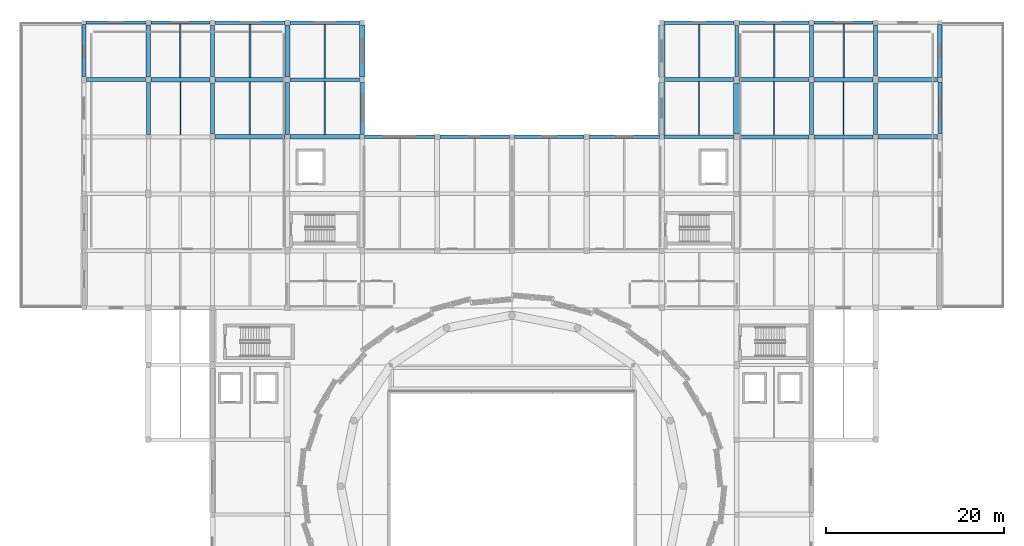
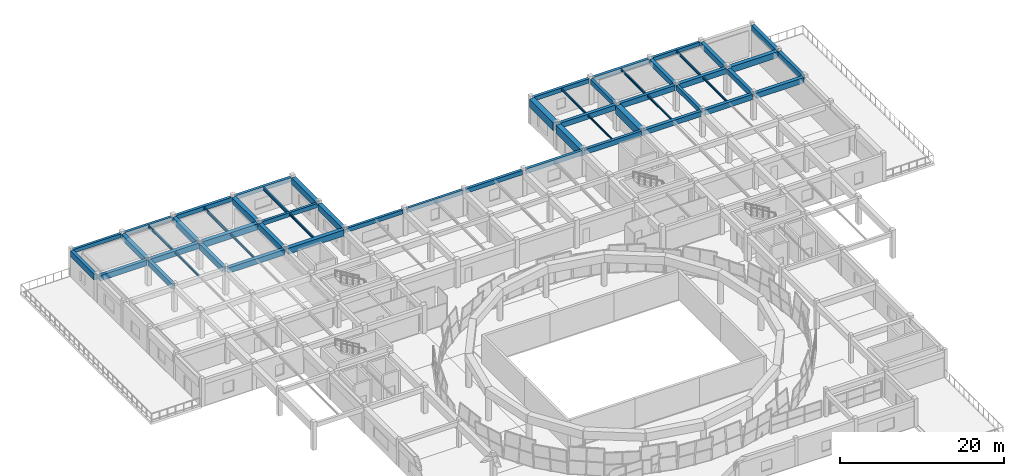
# One storey, part 22 of 40: 56 beams.
"""IFC4 building model written with IfcOpenShell, lengths in metres."""

from ifc_helpers import new_model, si_unit, direction, frame, origin, origin_2d, place, context, subcontext, project, spatial, rectangle, i_section, extrude, material, material_profile, profile_set, type_object, element, save


model = new_model("IFC4")

# Units and contexts
model_context = context("Model", 3, precision=1e-05, world=origin(), true_north=direction((0.0, 1.0)))
body_context = subcontext(model_context, "Body", "Model", "MODEL_VIEW")
ifc_project = project(units=[si_unit("LENGTHUNIT", "METRE"), si_unit("AREAUNIT", "SQUARE_METRE"), si_unit("VOLUMEUNIT", "CUBIC_METRE"), si_unit("PLANEANGLEUNIT", "RADIAN"), si_unit("MASSUNIT", "GRAM", prefix="KILO")], contexts=[model_context])

# Site, building, storey
site_placement = place(None, origin())
site = spatial("IfcSite", under=ifc_project, at=site_placement, CompositionType="ELEMENT")
building_placement = place(site_placement, origin())
building = spatial("IfcBuilding", under=site, at=building_placement, Name="Korsvaeld Concert Hall", CompositionType="ELEMENT")
storey_placement = place(building_placement, frame((0.0, 0.0, 13.199951171875)))
storey = spatial("IfcBuildingStorey", under=building, at=storey_placement, Name="L03", CompositionType="ELEMENT", Elevation=13.199951171875)

# Beams
ifc_material_1 = material(Name="Concrete C35/45", Category="concrete")
ifc_material_profile_1 = material_profile(ifc_material_1, rectangle(XDim=0.35009765625, YDim=0.60009765625, at=origin_2d()), Name="RC 350x600")
ifc_profile_set_1 = profile_set([ifc_material_profile_1], Name="Concrete C35/45")
beam_type_1 = type_object("IfcBeamType", Name="BM-RC-350x600", PredefinedType="T_BEAM", material=ifc_profile_set_1)
beam_1_placement = place(storey_placement, frame((67.47509765625, 102.39990234375, 3.5400390625), z_axis=(1.0, 0.0, 0.0), x_axis=(0.0, 1.0, 0.0)))
element("IfcBeam", 1, at=beam_1_placement, inside=storey, type_object=beam_type_1, Name="Primary girder 10-11/Q L03", PredefinedType="T_BEAM", context=body_context, shape_type="SweptSolid", body=[
    extrude(rectangle(XDim=0.35009765625, YDim=0.60009765625, at=origin_2d()), origin(), (0.0, 0.0, 1.0), 7.824951171875),
])
beam_2_placement = place(storey_placement, frame((59.10009765625, 108.800048828125, 3.5400390625), z_axis=(1.0, 0.0, 0.0), x_axis=(0.0, 1.0, 0.0)))
element("IfcBeam", 2, at=beam_2_placement, inside=storey, type_object=beam_type_1, Name="Primary girder 9-10/R L03", PredefinedType="T_BEAM", context=body_context, shape_type="SweptSolid", body=[
    extrude(rectangle(XDim=0.35009765625, YDim=0.60009765625, at=origin_2d()), origin(), (0.0, 0.0, 1.0), 7.7998046875),
])
ifc_material_profile_2 = material_profile(ifc_material_1, rectangle(XDim=0.35009765625, YDim=0.64990234375, at=origin_2d()), Name="RC 350x650")
ifc_profile_set_2 = profile_set([ifc_material_profile_2], Name="Concrete C35/45")
beam_type_2 = type_object("IfcBeamType", Name="BM-RC-350x650", PredefinedType="T_BEAM", material=ifc_profile_set_2)
beam_3_placement = place(storey_placement, frame((75.89990234375, 102.39990234375, 3.51513671875), z_axis=(1.0, 0.0, 0.0), x_axis=(0.0, 1.0, 0.0)))
element("IfcBeam", 3, at=beam_3_placement, inside=storey, type_object=beam_type_2, Name="Primary girder 11-12/Q L03", PredefinedType="T_BEAM", context=body_context, shape_type="SweptSolid", body=[
    extrude(rectangle(XDim=0.35009765625, YDim=0.64990234375, at=origin_2d()), origin(), (0.0, 0.0, 1.0), 7.8251953125),
])
ifc_material_profile_3 = material_profile(ifc_material_1, rectangle(XDim=0.39990234375, YDim=0.64990234375, at=origin_2d()), Name="RC 400x650")
ifc_profile_set_3 = profile_set([ifc_material_profile_3], Name="Concrete C35/45")
beam_type_3 = type_object("IfcBeamType", Name="BM-RC-400x650", PredefinedType="T_BEAM", material=ifc_profile_set_3)
beam_4_placement = place(storey_placement, frame((84.27490234375, 102.39990234375, 3.51513671875), z_axis=(1.0, 0.0, 0.0), x_axis=(0.0, 1.0, 0.0)))
element("IfcBeam", 4, at=beam_4_placement, inside=storey, type_object=beam_type_3, Name="Primary girder 12-13/Q L03", PredefinedType="T_BEAM", context=body_context, shape_type="SweptSolid", body=[
    extrude(rectangle(XDim=0.39990234375, YDim=0.64990234375, at=origin_2d()), origin(), (0.0, 0.0, 1.0), 7.8251953125),
])
ifc_material_profile_4 = material_profile(ifc_material_1, rectangle(XDim=0.39990234375, YDim=0.699951171875, at=origin_2d()), Name="RC 400x700")
ifc_profile_set_4 = profile_set([ifc_material_profile_4], Name="Concrete C35/45")
beam_type_4 = type_object("IfcBeamType", Name="BM-RC-400x700", PredefinedType="T_BEAM", material=ifc_profile_set_4)
beam_5_placement = place(storey_placement, frame((92.699951171875, 102.39990234375, 3.489990234375), z_axis=(1.0, 0.0, 0.0), x_axis=(0.0, 1.0, 0.0)))
element("IfcBeam", 5, at=beam_5_placement, inside=storey, type_object=beam_type_4, Name="Primary girder 13-14/Q L03", PredefinedType="T_BEAM", context=body_context, shape_type="SweptSolid", body=[
    extrude(rectangle(XDim=0.39990234375, YDim=0.699951171875, at=origin_2d()), origin(), (0.0, 0.0, 1.0), 7.824951171875),
])
beam_6_placement = place(storey_placement, frame((109.199951171875, 109.175048828125, 3.489990234375), z_axis=(0.0, 1.0, 0.0), x_axis=(-1.0, 0.0, 0.0)))
element("IfcBeam", 6, at=beam_6_placement, inside=storey, type_object=beam_type_4, Name="Primary girder 15/R-S L03", PredefinedType="T_BEAM", context=body_context, shape_type="SweptSolid", body=[
    extrude(rectangle(XDim=0.39990234375, YDim=0.699951171875, at=origin_2d()), origin(), (0.0, 0.0, 1.0), 5.724853515625),
])
beam_7_placement = place(storey_placement, frame((117.60009765625, 102.675048828125, 3.489990234375), z_axis=(0.0, 1.0, 0.0), x_axis=(-1.0, 0.0, 0.0)))
element("IfcBeam", 7, at=beam_7_placement, inside=storey, type_object=beam_type_4, Name="Primary girder 16/Q-R L03", PredefinedType="T_BEAM", context=body_context, shape_type="SweptSolid", body=[
    extrude(rectangle(XDim=0.39990234375, YDim=0.699951171875, at=origin_2d()), origin(), (0.0, 0.0, 1.0), 5.824951171875),
])
ifc_material_profile_5 = material_profile(ifc_material_1, rectangle(XDim=0.39990234375, YDim=0.75, at=origin_2d()), Name="RC 400x750")
ifc_profile_set_5 = profile_set([ifc_material_profile_5], Name="Concrete C35/45")
beam_type_5 = type_object("IfcBeamType", Name="BM-RC-400x750", PredefinedType="T_BEAM", material=ifc_profile_set_5)
beam_8_placement = place(storey_placement, frame((101.074951171875, 102.39990234375, 3.465087890625), z_axis=(1.0, 0.0, 0.0), x_axis=(0.0, 1.0, 0.0)))
element("IfcBeam", 8, at=beam_8_placement, inside=storey, type_object=beam_type_5, Name="Primary girder 14-15/Q L03", PredefinedType="T_BEAM", context=body_context, shape_type="SweptSolid", body=[
    extrude(rectangle(XDim=0.39990234375, YDim=0.75, at=origin_2d()), origin(), (0.0, 0.0, 1.0), 7.824951171875),
])
ifc_material_profile_6 = material_profile(ifc_material_1, rectangle(XDim=0.449951171875, YDim=0.75, at=origin_2d()), Name="RC 450x750")
ifc_profile_set_6 = profile_set([ifc_material_profile_6], Name="Concrete C35/45")
beam_type_6 = type_object("IfcBeamType", Name="BM-RC-450x750", PredefinedType="T_BEAM", material=ifc_profile_set_6)
for number, where, z_axis, x_axis, name in (
    (9, (109.5, 102.39990234375, 3.465087890625), (1.0, 0.0, 0.0), (0.0, 1.0, 0.0), "Primary girder 15-16/Q L03"),
    (10, (101.10009765625, 108.800048828125, 3.465087890625), (1.0, 0.0, 0.0), (0.0, 1.0, 0.0), "Primary girder 14-15/R L03"),
):
    element("IfcBeam", number, at=place(storey_placement, frame(where, z_axis=z_axis, x_axis=x_axis)), inside=storey, type_object=beam_type_6, Name=name, PredefinedType="T_BEAM", context=body_context, shape_type="SweptSolid", body=[
        extrude(rectangle(XDim=0.449951171875, YDim=0.75, at=origin_2d()), origin(), (0.0, 0.0, 1.0), 7.824951171875),
    ])
ifc_material_profile_7 = material_profile(ifc_material_1, rectangle(XDim=0.449951171875, YDim=0.800048828125, at=origin_2d()), Name="RC 450x800")
ifc_profile_set_7 = profile_set([ifc_material_profile_7], Name="Concrete C35/45")
beam_type_7 = type_object("IfcBeamType", Name="BM-RC-450x800", PredefinedType="T_BEAM", material=ifc_profile_set_7)
beam_9_placement = place(storey_placement, frame((117.875, 102.39990234375, 3.43994140625), z_axis=(1.0, 0.0, 0.0), x_axis=(0.0, 1.0, 0.0)))
element("IfcBeam", 11, at=beam_9_placement, inside=storey, type_object=beam_type_7, Name="Primary girder 16-17/Q L03", PredefinedType="T_BEAM", context=body_context, shape_type="SweptSolid", body=[
    extrude(rectangle(XDim=0.449951171875, YDim=0.800048828125, at=origin_2d()), origin(), (0.0, 0.0, 1.0), 6.64990234375),
])
beam_10_placement = place(storey_placement, frame((36.27490234375, 108.800048828125, 3.43994140625), z_axis=(1.0, 0.0, 0.0), x_axis=(0.0, 1.0, 0.0)))
element("IfcBeam", 12, at=beam_10_placement, inside=storey, type_object=beam_type_7, Name="Primary girder 6-7/R L03", PredefinedType="T_BEAM", context=body_context, shape_type="SweptSolid", body=[
    extrude(rectangle(XDim=0.449951171875, YDim=0.800048828125, at=origin_2d()), origin(), (0.0, 0.0, 1.0), 6.625),
])
beam_11_placement = place(storey_placement, frame((109.47509765625, 108.800048828125, 3.43994140625), z_axis=(1.0, 0.0, 0.0), x_axis=(0.0, 1.0, 0.0)))
element("IfcBeam", 13, at=beam_11_placement, inside=storey, type_object=beam_type_7, Name="Primary girder 15-16/R L03", PredefinedType="T_BEAM", context=body_context, shape_type="SweptSolid", body=[
    extrude(rectangle(XDim=0.449951171875, YDim=0.800048828125, at=origin_2d()), origin(), (0.0, 0.0, 1.0), 7.824951171875),
])
beam_12_placement = place(storey_placement, frame((117.60009765625, 109.10009765625, 3.43994140625), z_axis=(0.0, 1.0, 0.0), x_axis=(-1.0, 0.0, 0.0)))
element("IfcBeam", 14, at=beam_12_placement, inside=storey, type_object=beam_type_7, Name="Primary girder 16/R-S L03", PredefinedType="T_BEAM", context=body_context, shape_type="SweptSolid", body=[
    extrude(rectangle(XDim=0.449951171875, YDim=0.800048828125, at=origin_2d()), origin(), (0.0, 0.0, 1.0), 5.824951171875),
])
beam_13_placement = place(storey_placement, frame((124.800048828125, 102.675048828125, 3.43994140625), z_axis=(0.0, 1.0, 0.0), x_axis=(-1.0, 0.0, 0.0)))
element("IfcBeam", 15, at=beam_13_placement, inside=storey, type_object=beam_type_7, Name="Primary girder 17/Q-R L03", PredefinedType="T_BEAM", context=body_context, shape_type="SweptSolid", body=[
    extrude(rectangle(XDim=0.449951171875, YDim=0.800048828125, at=origin_2d()), origin(), (0.0, 0.0, 1.0), 5.724853515625),
])
ifc_material_2 = material(Name="Concrete C40/50", Category="concrete")
ifc_material_profile_8 = material_profile(ifc_material_2, rectangle(XDim=0.449951171875, YDim=0.85009765625, at=origin_2d()), Name="RC 450x850")
ifc_profile_set_8 = profile_set([ifc_material_profile_8], Name="Concrete C40/50")
beam_type_8 = type_object("IfcBeamType", Name="BM-RC-450x850", PredefinedType="T_BEAM", material=ifc_profile_set_8)
beam_14_placement = place(storey_placement, frame((36.0, 109.175048828125, 3.4150390625), z_axis=(0.0, 1.0, 0.0), x_axis=(-1.0, 0.0, 0.0)))
element("IfcBeam", 16, at=beam_14_placement, inside=storey, type_object=beam_type_8, Name="Primary girder 6/R-S L03", PredefinedType="T_BEAM", context=body_context, shape_type="SweptSolid", body=[
    extrude(rectangle(XDim=0.449951171875, YDim=0.85009765625, at=origin_2d()), origin(), (0.0, 0.0, 1.0), 5.800048828125),
])
beam_15_placement = place(storey_placement, frame((43.199951171875, 102.675048828125, 3.4150390625), z_axis=(0.0, 1.0, 0.0), x_axis=(-1.0, 0.0, 0.0)))
element("IfcBeam", 17, at=beam_15_placement, inside=storey, type_object=beam_type_8, Name="Primary girder 7/Q-R L03", PredefinedType="T_BEAM", context=body_context, shape_type="SweptSolid", body=[
    extrude(rectangle(XDim=0.449951171875, YDim=0.85009765625, at=origin_2d()), origin(), (0.0, 0.0, 1.0), 5.824951171875),
])
beam_16_placement = place(storey_placement, frame((124.800048828125, 109.199951171875, 3.4150390625), z_axis=(0.0, 1.0, 0.0), x_axis=(-1.0, 0.0, 0.0)))
element("IfcBeam", 18, at=beam_16_placement, inside=storey, type_object=beam_type_8, Name="Primary girder 17/R-S L03", PredefinedType="T_BEAM", context=body_context, shape_type="SweptSolid", body=[
    extrude(rectangle(XDim=0.449951171875, YDim=0.85009765625, at=origin_2d()), origin(), (0.0, 0.0, 1.0), 5.72509765625),
])
beam_17_placement = place(storey_placement, frame((132.0, 102.75, 3.4150390625), z_axis=(0.0, 1.0, 0.0), x_axis=(-1.0, 0.0, 0.0)))
element("IfcBeam", 19, at=beam_17_placement, inside=storey, type_object=beam_type_8, Name="Primary girder 18/Q-R L03", PredefinedType="T_BEAM", context=body_context, shape_type="SweptSolid", body=[
    extrude(rectangle(XDim=0.449951171875, YDim=0.85009765625, at=origin_2d()), origin(), (0.0, 0.0, 1.0), 5.800048828125),
])
ifc_material_profile_9 = material_profile(ifc_material_2, rectangle(XDim=0.5, YDim=0.800048828125, at=origin_2d()), Name="RC 500x800")
ifc_profile_set_9 = profile_set([ifc_material_profile_9], Name="Concrete C40/50")
beam_type_9 = type_object("IfcBeamType", Name="BM-RC-500x800", PredefinedType="T_BEAM", material=ifc_profile_set_9)
beam_18_placement = place(storey_placement, frame((50.699951171875, 102.39990234375, 3.43994140625), z_axis=(1.0, 0.0, 0.0), x_axis=(0.0, 1.0, 0.0)))
element("IfcBeam", 20, at=beam_18_placement, inside=storey, type_object=beam_type_9, Name="Primary girder 8-9/Q L03", PredefinedType="T_BEAM", context=body_context, shape_type="SweptSolid", body=[
    extrude(rectangle(XDim=0.5, YDim=0.800048828125, at=origin_2d()), origin(), (0.0, 0.0, 1.0), 7.824951171875),
])
beam_19_placement = place(storey_placement, frame((125.074951171875, 102.39990234375, 3.43994140625), z_axis=(1.0, 0.0, 0.0), x_axis=(0.0, 1.0, 0.0)))
element("IfcBeam", 21, at=beam_19_placement, inside=storey, type_object=beam_type_9, Name="Primary girder 17-18/Q L03", PredefinedType="T_BEAM", context=body_context, shape_type="SweptSolid", body=[
    extrude(rectangle(XDim=0.5, YDim=0.800048828125, at=origin_2d()), origin(), (0.0, 0.0, 1.0), 6.675048828125),
])
beam_20_placement = place(storey_placement, frame((43.5, 108.800048828125, 3.43994140625), z_axis=(1.0, 0.0, 0.0), x_axis=(0.0, 1.0, 0.0)))
element("IfcBeam", 22, at=beam_20_placement, inside=storey, type_object=beam_type_9, Name="Primary girder 7-8/R L03", PredefinedType="T_BEAM", context=body_context, shape_type="SweptSolid", body=[
    extrude(rectangle(XDim=0.5, YDim=0.800048828125, at=origin_2d()), origin(), (0.0, 0.0, 1.0), 6.625),
])
beam_21_placement = place(storey_placement, frame((117.89990234375, 108.800048828125, 3.43994140625), z_axis=(1.0, 0.0, 0.0), x_axis=(0.0, 1.0, 0.0)))
element("IfcBeam", 23, at=beam_21_placement, inside=storey, type_object=beam_type_9, Name="Primary girder 16-17/R L03", PredefinedType="T_BEAM", context=body_context, shape_type="SweptSolid", body=[
    extrude(rectangle(XDim=0.5, YDim=0.800048828125, at=origin_2d()), origin(), (0.0, 0.0, 1.0), 6.60009765625),
])
ifc_material_profile_10 = material_profile(ifc_material_2, rectangle(XDim=0.5, YDim=0.85009765625, at=origin_2d()), Name="RC 500x850")
ifc_profile_set_10 = profile_set([ifc_material_profile_10], Name="Concrete C40/50")
beam_type_10 = type_object("IfcBeamType", Name="BM-RC-500x850", PredefinedType="T_BEAM", material=ifc_profile_set_10)
beam_22_placement = place(storey_placement, frame((43.199951171875, 109.10009765625, 3.4150390625), z_axis=(0.0, 1.0, 0.0), x_axis=(-1.0, 0.0, 0.0)))
element("IfcBeam", 24, at=beam_22_placement, inside=storey, type_object=beam_type_10, Name="Primary girder 7/R-S L03", PredefinedType="T_BEAM", context=body_context, shape_type="SweptSolid", body=[
    extrude(rectangle(XDim=0.5, YDim=0.85009765625, at=origin_2d()), origin(), (0.0, 0.0, 1.0), 5.824951171875),
])
beam_23_placement = place(storey_placement, frame((50.39990234375, 102.699951171875, 3.4150390625), z_axis=(0.0, 1.0, 0.0), x_axis=(-1.0, 0.0, 0.0)))
element("IfcBeam", 25, at=beam_23_placement, inside=storey, type_object=beam_type_10, Name="Primary girder 8/Q-R L03", PredefinedType="T_BEAM", context=body_context, shape_type="SweptSolid", body=[
    extrude(rectangle(XDim=0.5, YDim=0.85009765625, at=origin_2d()), origin(), (0.0, 0.0, 1.0), 5.72509765625),
])
beam_24_placement = place(storey_placement, frame((132.0, 109.050048828125, 3.4150390625), z_axis=(0.0, 1.0, 0.0), x_axis=(-1.0, 0.0, 0.0)))
element("IfcBeam", 26, at=beam_24_placement, inside=storey, type_object=beam_type_10, Name="Primary girder 18/R-S L03", PredefinedType="T_BEAM", context=body_context, shape_type="SweptSolid", body=[
    extrude(rectangle(XDim=0.5, YDim=0.85009765625, at=origin_2d()), origin(), (0.0, 0.0, 1.0), 5.925048828125),
])
ifc_material_profile_11 = material_profile(ifc_material_2, rectangle(XDim=0.5, YDim=0.89990234375, at=origin_2d()), Name="RC 500x900")
ifc_profile_set_11 = profile_set([ifc_material_profile_11], Name="Concrete C40/50")
beam_type_11 = type_object("IfcBeamType", Name="BM-RC-500x900", PredefinedType="T_BEAM", material=ifc_profile_set_11)
beam_25_placement = place(storey_placement, frame((50.39990234375, 109.175048828125, 3.39013671875), z_axis=(0.0, 1.0, 0.0), x_axis=(-1.0, 0.0, 0.0)))
element("IfcBeam", 27, at=beam_25_placement, inside=storey, type_object=beam_type_11, Name="Primary girder 8/R-S L03", PredefinedType="T_BEAM", context=body_context, shape_type="SweptSolid", body=[
    extrude(rectangle(XDim=0.5, YDim=0.89990234375, at=origin_2d()), origin(), (0.0, 0.0, 1.0), 5.724853515625),
])
beam_26_placement = place(storey_placement, frame((58.800048828125, 102.675048828125, 3.39013671875), z_axis=(0.0, 1.0, 0.0), x_axis=(-1.0, 0.0, 0.0)))
element("IfcBeam", 28, at=beam_26_placement, inside=storey, type_object=beam_type_11, Name="Primary girder 9/Q-R L03", PredefinedType="T_BEAM", context=body_context, shape_type="SweptSolid", body=[
    extrude(rectangle(XDim=0.5, YDim=0.89990234375, at=origin_2d()), origin(), (0.0, 0.0, 1.0), 5.824951171875),
])
ifc_material_profile_12 = material_profile(ifc_material_2, rectangle(XDim=0.550048828125, YDim=0.89990234375, at=origin_2d()), Name="RC 550x900")
ifc_profile_set_12 = profile_set([ifc_material_profile_12], Name="Concrete C40/50")
beam_type_12 = type_object("IfcBeamType", Name="BM-RC-550x900", PredefinedType="T_BEAM", material=ifc_profile_set_12)
beam_27_placement = place(storey_placement, frame((59.074951171875, 102.39990234375, 3.39013671875), z_axis=(1.0, 0.0, 0.0), x_axis=(0.0, 1.0, 0.0)))
element("IfcBeam", 29, at=beam_27_placement, inside=storey, type_object=beam_type_12, Name="Primary girder 9-10/Q L03", PredefinedType="T_BEAM", context=body_context, shape_type="SweptSolid", body=[
    extrude(rectangle(XDim=0.550048828125, YDim=0.89990234375, at=origin_2d()), origin(), (0.0, 0.0, 1.0), 7.85009765625),
])
beam_28_placement = place(storey_placement, frame((50.675048828125, 108.800048828125, 3.39013671875), z_axis=(1.0, 0.0, 0.0), x_axis=(0.0, 1.0, 0.0)))
element("IfcBeam", 30, at=beam_28_placement, inside=storey, type_object=beam_type_12, Name="Primary girder 8-9/R L03", PredefinedType="T_BEAM", context=body_context, shape_type="SweptSolid", body=[
    extrude(rectangle(XDim=0.550048828125, YDim=0.89990234375, at=origin_2d()), origin(), (0.0, 0.0, 1.0), 7.824951171875),
])
beam_29_placement = place(storey_placement, frame((125.10009765625, 108.800048828125, 3.39013671875), z_axis=(1.0, 0.0, 0.0), x_axis=(0.0, 1.0, 0.0)))
element("IfcBeam", 31, at=beam_29_placement, inside=storey, type_object=beam_type_12, Name="Primary girder 17-18/R L03", PredefinedType="T_BEAM", context=body_context, shape_type="SweptSolid", body=[
    extrude(rectangle(XDim=0.550048828125, YDim=0.89990234375, at=origin_2d()), origin(), (0.0, 0.0, 1.0), 6.64990234375),
])
ifc_material_profile_13 = material_profile(ifc_material_2, rectangle(XDim=0.550048828125, YDim=0.949951171875, at=origin_2d()), Name="RC 550x950")
ifc_profile_set_13 = profile_set([ifc_material_profile_13], Name="Concrete C40/50")
beam_type_13 = type_object("IfcBeamType", Name="BM-RC-550x950", PredefinedType="T_BEAM", material=ifc_profile_set_13)
for number, where, z_axis, x_axis, name in (
    (32, (58.800048828125, 109.10009765625, 3.364990234375), (0.0, 1.0, 0.0), (-1.0, 0.0, 0.0), "Primary girder 9/R-S L03"),
    (33, (67.199951171875, 102.675048828125, 3.364990234375), (0.0, 1.0, 0.0), (-1.0, 0.0, 0.0), "Primary girder 10/Q-R L03"),
):
    element("IfcBeam", number, at=place(storey_placement, frame(where, z_axis=z_axis, x_axis=x_axis)), inside=storey, type_object=beam_type_13, Name=name, PredefinedType="T_BEAM", context=body_context, shape_type="SweptSolid", body=[
        extrude(rectangle(XDim=0.550048828125, YDim=0.949951171875, at=origin_2d()), origin(), (0.0, 0.0, 1.0), 5.824951171875),
    ])
ifc_material_profile_14 = material_profile(ifc_material_2, rectangle(XDim=0.60009765625, YDim=0.949951171875, at=origin_2d()), Name="RC 600x950")
ifc_profile_set_14 = profile_set([ifc_material_profile_14], Name="Concrete C40/50")
beam_type_14 = type_object("IfcBeamType", Name="BM-RC-600x950", PredefinedType="T_BEAM", material=ifc_profile_set_14)
beam_30_placement = place(storey_placement, frame((67.199951171875, 109.10009765625, 3.364990234375), z_axis=(0.0, 1.0, 0.0), x_axis=(-1.0, 0.0, 0.0)))
element("IfcBeam", 34, at=beam_30_placement, inside=storey, type_object=beam_type_14, Name="Primary girder 10/R-S L03", PredefinedType="T_BEAM", context=body_context, shape_type="SweptSolid", body=[
    extrude(rectangle(XDim=0.60009765625, YDim=0.949951171875, at=origin_2d()), origin(), (0.0, 0.0, 1.0), 5.824951171875),
])
ifc_material_profile_15 = material_profile(ifc_material_2, rectangle(XDim=0.699951171875, YDim=1.14990234375, at=origin_2d()), Name="RC 700x1150")
ifc_profile_set_15 = profile_set([ifc_material_profile_15], Name="Concrete C40/50")
beam_type_15 = type_object("IfcBeamType", Name="BM-RC-700x1150", PredefinedType="T_BEAM", material=ifc_profile_set_15)
beam_31_placement = place(storey_placement, frame((100.800048828125, 102.675048828125, 3.26513671875), z_axis=(0.0, 1.0, 0.0), x_axis=(-1.0, 0.0, 0.0)))
element("IfcBeam", 35, at=beam_31_placement, inside=storey, type_object=beam_type_15, Name="Primary girder 14/Q-R L03", PredefinedType="T_BEAM", context=body_context, shape_type="SweptSolid", body=[
    extrude(rectangle(XDim=0.699951171875, YDim=1.14990234375, at=origin_2d()), origin(), (0.0, 0.0, 1.0), 5.824951171875),
])
ifc_material_profile_16 = material_profile(ifc_material_2, rectangle(XDim=0.75, YDim=1.199951171875, at=origin_2d()), Name="RC 750x1200")
ifc_profile_set_16 = profile_set([ifc_material_profile_16], Name="Concrete C40/50")
beam_type_16 = type_object("IfcBeamType", Name="BM-RC-750x1200", PredefinedType="T_BEAM", material=ifc_profile_set_16)
beam_32_placement = place(storey_placement, frame((100.800048828125, 109.10009765625, 3.239990234375), z_axis=(0.0, 1.0, 0.0), x_axis=(-1.0, 0.0, 0.0)))
element("IfcBeam", 36, at=beam_32_placement, inside=storey, type_object=beam_type_16, Name="Primary girder 14/R-S L03", PredefinedType="T_BEAM", context=body_context, shape_type="SweptSolid", body=[
    extrude(rectangle(XDim=0.75, YDim=1.199951171875, at=origin_2d()), origin(), (0.0, 0.0, 1.0), 5.824951171875),
])
beam_33_placement = place(storey_placement, frame((109.199951171875, 102.699951171875, 3.239990234375), z_axis=(0.0, 1.0, 0.0), x_axis=(-1.0, 0.0, 0.0)))
element("IfcBeam", 37, at=beam_33_placement, inside=storey, type_object=beam_type_16, Name="Primary girder 15/Q-R L03", PredefinedType="T_BEAM", context=body_context, shape_type="SweptSolid", body=[
    extrude(rectangle(XDim=0.75, YDim=1.199951171875, at=origin_2d()), origin(), (0.0, 0.0, 1.0), 5.72509765625),
])
ifc_material_profile_17 = material_profile(ifc_material_1, rectangle(XDim=0.35009765625, YDim=0.550048828125, at=origin_2d()), Name="RC 350x550")
ifc_profile_set_17 = profile_set([ifc_material_profile_17], Name="Concrete C35/45")
beam_type_17 = type_object("IfcBeamType", Name="BM-SP-350x550", PredefinedType="SPANDREL", material=ifc_profile_set_17)
beam_34_placement = place(storey_placement, frame((36.22509765625, 115.199951171875, 3.56494140625), z_axis=(1.0, 0.0, 0.0), x_axis=(0.0, 1.0, 0.0)))
element("IfcBeam", 38, at=beam_34_placement, inside=storey, type_object=beam_type_17, Name="Primary girder 6-7/S L03", PredefinedType="SPANDREL", context=body_context, shape_type="SweptSolid", body=[
    extrude(rectangle(XDim=0.35009765625, YDim=0.550048828125, at=origin_2d()), origin(), (0.0, 0.0, 1.0), 6.699951171875),
])
beam_35_placement = place(storey_placement, frame((43.47509765625, 115.199951171875, 3.56494140625), z_axis=(1.0, 0.0, 0.0), x_axis=(0.0, 1.0, 0.0)))
element("IfcBeam", 39, at=beam_35_placement, inside=storey, type_object=beam_type_17, Name="Primary girder 7-8/S L03", PredefinedType="SPANDREL", context=body_context, shape_type="SweptSolid", body=[
    extrude(rectangle(XDim=0.35009765625, YDim=0.550048828125, at=origin_2d()), origin(), (0.0, 0.0, 1.0), 6.625),
])
beam_36_placement = place(storey_placement, frame((117.875, 115.199951171875, 3.56494140625), z_axis=(1.0, 0.0, 0.0), x_axis=(0.0, 1.0, 0.0)))
element("IfcBeam", 40, at=beam_36_placement, inside=storey, type_object=beam_type_17, Name="Primary girder 16-17/S L03", PredefinedType="SPANDREL", context=body_context, shape_type="SweptSolid", body=[
    extrude(rectangle(XDim=0.35009765625, YDim=0.550048828125, at=origin_2d()), origin(), (0.0, 0.0, 1.0), 6.64990234375),
])
ifc_material_profile_18 = material_profile(ifc_material_1, rectangle(XDim=0.39990234375, YDim=0.60009765625, at=origin_2d()), Name="RC 400x600")
ifc_profile_set_18 = profile_set([ifc_material_profile_18], Name="Concrete C35/45")
beam_type_18 = type_object("IfcBeamType", Name="BM-SP-400x600", PredefinedType="SPANDREL", material=ifc_profile_set_18)
beam_37_placement = place(storey_placement, frame((50.699951171875, 115.199951171875, 3.5400390625), z_axis=(1.0, 0.0, 0.0), x_axis=(0.0, 1.0, 0.0)))
element("IfcBeam", 41, at=beam_37_placement, inside=storey, type_object=beam_type_18, Name="Primary girder 8-9/S L03", PredefinedType="SPANDREL", context=body_context, shape_type="SweptSolid", body=[
    extrude(rectangle(XDim=0.39990234375, YDim=0.60009765625, at=origin_2d()), origin(), (0.0, 0.0, 1.0), 7.824951171875),
])
beam_38_placement = place(storey_placement, frame((59.074951171875, 115.199951171875, 3.5400390625), z_axis=(1.0, 0.0, 0.0), x_axis=(0.0, 1.0, 0.0)))
element("IfcBeam", 42, at=beam_38_placement, inside=storey, type_object=beam_type_18, Name="Primary girder 9-10/S L03", PredefinedType="SPANDREL", context=body_context, shape_type="SweptSolid", body=[
    extrude(rectangle(XDim=0.39990234375, YDim=0.60009765625, at=origin_2d()), origin(), (0.0, 0.0, 1.0), 7.85009765625),
])
for number, where, z_axis, x_axis, name in (
    (43, (101.074951171875, 115.199951171875, 3.5400390625), (1.0, 0.0, 0.0), (0.0, 1.0, 0.0), "Primary girder 14-15/S L03"),
    (44, (109.5, 115.199951171875, 3.5400390625), (1.0, 0.0, 0.0), (0.0, 1.0, 0.0), "Primary girder 15-16/S L03"),
):
    element("IfcBeam", number, at=place(storey_placement, frame(where, z_axis=z_axis, x_axis=x_axis)), inside=storey, type_object=beam_type_18, Name=name, PredefinedType="SPANDREL", context=body_context, shape_type="SweptSolid", body=[
        extrude(rectangle(XDim=0.39990234375, YDim=0.60009765625, at=origin_2d()), origin(), (0.0, 0.0, 1.0), 7.824951171875),
    ])
ifc_material_3 = material(Name="Steel S355J2", Category="steel")
ifc_material_profile_19 = material_profile(ifc_material_3, i_section(OverallWidth=0.1201171875, OverallDepth=0.239990234375, WebThickness=0.006103515625, FlangeThickness=0.009765625, FilletRadius=0.014892578125, at=origin_2d()), Name="IPE 240")
ifc_profile_set_19 = profile_set([ifc_material_profile_19], Name="Steel S355J2")
beam_type_19 = type_object("IfcBeamType", Name="BM-STL-IPE240", PredefinedType="JOIST", material=ifc_profile_set_19)
beam_39_placement = place(storey_placement, frame((105.0, 102.60009765625, 3.719970703125), z_axis=(0.0, 1.0, 0.0), x_axis=(-1.0, 0.0, 0.0)))
element("IfcBeam", 45, at=beam_39_placement, inside=storey, type_object=beam_type_19, Name="Secondary steel floor beam 14-15/Q L03", PredefinedType="JOIST", context=body_context, shape_type="SweptSolid", body=[
    extrude(i_section(OverallWidth=0.1201171875, OverallDepth=0.239990234375, WebThickness=0.006103515625, FlangeThickness=0.009765625, FilletRadius=0.014892578125, at=origin_2d()), origin(), (0.0, 0.0, 1.0), 5.974853515625),
])
ifc_material_profile_20 = material_profile(ifc_material_3, i_section(OverallWidth=0.135009765625, OverallDepth=0.27001953125, WebThickness=0.006591796875, FlangeThickness=0.01025390625, FilletRadius=0.014892578125, at=origin_2d()), Name="IPE 270")
ifc_profile_set_20 = profile_set([ifc_material_profile_20], Name="Steel S355J2")
beam_type_20 = type_object("IfcBeamType", Name="BM-STL-IPE270", PredefinedType="JOIST", material=ifc_profile_set_20)
beam_40_placement = place(storey_placement, frame((113.39990234375, 102.625, 3.705078125), z_axis=(0.0, 1.0, 0.0), x_axis=(-1.0, 0.0, 0.0)))
element("IfcBeam", 46, at=beam_40_placement, inside=storey, type_object=beam_type_20, Name="Secondary steel floor beam 15-16/Q L03", PredefinedType="JOIST", context=body_context, shape_type="SweptSolid", body=[
    extrude(i_section(OverallWidth=0.135009765625, OverallDepth=0.27001953125, WebThickness=0.006591796875, FlangeThickness=0.01025390625, FilletRadius=0.014892578125, at=origin_2d()), origin(), (0.0, 0.0, 1.0), 5.949951171875),
])
ifc_material_profile_21 = material_profile(ifc_material_3, i_section(OverallWidth=0.14990234375, OverallDepth=0.300048828125, WebThickness=0.007080078125, FlangeThickness=0.0107421875, FilletRadius=0.014892578125, at=origin_2d()), Name="IPE 300")
ifc_profile_set_21 = profile_set([ifc_material_profile_21], Name="Steel S355J2")
beam_type_21 = type_object("IfcBeamType", Name="BM-STL-IPE300", PredefinedType="JOIST", material=ifc_profile_set_21)
beam_41_placement = place(storey_placement, frame((46.800048828125, 102.625, 3.68994140625), z_axis=(0.0, 1.0, 0.0), x_axis=(-1.0, 0.0, 0.0)))
element("IfcBeam", 47, at=beam_41_placement, inside=storey, type_object=beam_type_21, Name="Secondary steel floor beam 7-8/Q L03", PredefinedType="JOIST", context=body_context, shape_type="SweptSolid", body=[
    extrude(i_section(OverallWidth=0.14990234375, OverallDepth=0.300048828125, WebThickness=0.007080078125, FlangeThickness=0.0107421875, FilletRadius=0.014892578125, at=origin_2d()), origin(), (0.0, 0.0, 1.0), 5.925048828125),
])
beam_42_placement = place(storey_placement, frame((105.0, 109.02490234375, 3.68994140625), z_axis=(0.0, 1.0, 0.0), x_axis=(-1.0, 0.0, 0.0)))
element("IfcBeam", 48, at=beam_42_placement, inside=storey, type_object=beam_type_21, Name="Secondary steel floor beam 14-15/R L03", PredefinedType="JOIST", context=body_context, shape_type="SweptSolid", body=[
    extrude(i_section(OverallWidth=0.14990234375, OverallDepth=0.300048828125, WebThickness=0.007080078125, FlangeThickness=0.0107421875, FilletRadius=0.014892578125, at=origin_2d()), origin(), (0.0, 0.0, 1.0), 5.97509765625),
])
beam_43_placement = place(storey_placement, frame((121.199951171875, 102.625, 3.68994140625), z_axis=(0.0, 1.0, 0.0), x_axis=(-1.0, 0.0, 0.0)))
element("IfcBeam", 49, at=beam_43_placement, inside=storey, type_object=beam_type_21, Name="Secondary steel floor beam 16-17/Q L03", PredefinedType="JOIST", context=body_context, shape_type="SweptSolid", body=[
    extrude(i_section(OverallWidth=0.14990234375, OverallDepth=0.300048828125, WebThickness=0.007080078125, FlangeThickness=0.0107421875, FilletRadius=0.014892578125, at=origin_2d()), origin(), (0.0, 0.0, 1.0), 5.925048828125),
])
ifc_material_profile_22 = material_profile(ifc_material_3, i_section(OverallWidth=0.159912109375, OverallDepth=0.330078125, WebThickness=0.007568359375, FlangeThickness=0.011474609375, FilletRadius=0.01806640625, at=origin_2d()), Name="IPE 330")
ifc_profile_set_22 = profile_set([ifc_material_profile_22], Name="Steel S355J2")
beam_type_22 = type_object("IfcBeamType", Name="BM-STL-IPE330", PredefinedType="BEAM", material=ifc_profile_set_22)
beam_44_placement = place(storey_placement, frame((54.60009765625, 102.64990234375, 3.675048828125), z_axis=(0.0, 1.0, 0.0), x_axis=(-1.0, 0.0, 0.0)))
element("IfcBeam", 50, at=beam_44_placement, inside=storey, type_object=beam_type_22, Name="Secondary steel floor beam 8-9/Q L03", PredefinedType="BEAM", context=body_context, shape_type="SweptSolid", body=[
    extrude(i_section(OverallWidth=0.159912109375, OverallDepth=0.330078125, WebThickness=0.007568359375, FlangeThickness=0.011474609375, FilletRadius=0.01806640625, at=origin_2d()), origin(), (0.0, 0.0, 1.0), 5.875),
])
beam_45_placement = place(storey_placement, frame((113.39990234375, 109.02490234375, 3.675048828125), z_axis=(0.0, 1.0, 0.0), x_axis=(-1.0, 0.0, 0.0)))
element("IfcBeam", 51, at=beam_45_placement, inside=storey, type_object=beam_type_22, Name="Secondary steel floor beam 15-16/R L03", PredefinedType="BEAM", context=body_context, shape_type="SweptSolid", body=[
    extrude(i_section(OverallWidth=0.159912109375, OverallDepth=0.330078125, WebThickness=0.007568359375, FlangeThickness=0.011474609375, FilletRadius=0.01806640625, at=origin_2d()), origin(), (0.0, 0.0, 1.0), 5.97509765625),
])
ifc_material_profile_23 = material_profile(ifc_material_3, i_section(OverallWidth=0.169921875, OverallDepth=0.360107421875, WebThickness=0.008056640625, FlangeThickness=0.0126953125, FilletRadius=0.01806640625, at=origin_2d()), Name="IPE 360")
ifc_profile_set_23 = profile_set([ifc_material_profile_23], Name="Steel S355J2")
beam_type_23 = type_object("IfcBeamType", Name="BM-STL-IPE360", PredefinedType="BEAM", material=ifc_profile_set_23)
beam_46_placement = place(storey_placement, frame((46.800048828125, 109.050048828125, 3.66015625), z_axis=(0.0, 1.0, 0.0), x_axis=(-1.0, 0.0, 0.0)))
element("IfcBeam", 52, at=beam_46_placement, inside=storey, type_object=beam_type_23, Name="Secondary steel floor beam 7-8/R L03", PredefinedType="BEAM", context=body_context, shape_type="SweptSolid", body=[
    extrude(i_section(OverallWidth=0.169921875, OverallDepth=0.360107421875, WebThickness=0.008056640625, FlangeThickness=0.0126953125, FilletRadius=0.01806640625, at=origin_2d()), origin(), (0.0, 0.0, 1.0), 5.974853515625),
])
beam_47_placement = place(storey_placement, frame((63.0, 102.675048828125, 3.66015625), z_axis=(0.0, 1.0, 0.0), x_axis=(-1.0, 0.0, 0.0)))
element("IfcBeam", 53, at=beam_47_placement, inside=storey, type_object=beam_type_23, Name="Secondary steel floor beam 9-10/Q L03", PredefinedType="BEAM", context=body_context, shape_type="SweptSolid", body=[
    extrude(i_section(OverallWidth=0.169921875, OverallDepth=0.360107421875, WebThickness=0.008056640625, FlangeThickness=0.0126953125, FilletRadius=0.01806640625, at=origin_2d()), origin(), (0.0, 0.0, 1.0), 5.949951171875),
])
beam_48_placement = place(storey_placement, frame((121.199951171875, 109.050048828125, 3.66015625), z_axis=(0.0, 1.0, 0.0), x_axis=(-1.0, 0.0, 0.0)))
element("IfcBeam", 54, at=beam_48_placement, inside=storey, type_object=beam_type_23, Name="Secondary steel floor beam 16-17/R L03", PredefinedType="BEAM", context=body_context, shape_type="SweptSolid", body=[
    extrude(i_section(OverallWidth=0.169921875, OverallDepth=0.360107421875, WebThickness=0.008056640625, FlangeThickness=0.0126953125, FilletRadius=0.01806640625, at=origin_2d()), origin(), (0.0, 0.0, 1.0), 5.974853515625),
])
ifc_material_profile_24 = material_profile(ifc_material_3, i_section(OverallWidth=0.179931640625, OverallDepth=0.39990234375, WebThickness=0.008544921875, FlangeThickness=0.013427734375, FilletRadius=0.02099609375, at=origin_2d()), Name="IPE 400")
ifc_profile_set_24 = profile_set([ifc_material_profile_24], Name="Steel S355J2")
beam_type_24 = type_object("IfcBeamType", Name="BM-STL-IPE400", PredefinedType="BEAM", material=ifc_profile_set_24)
beam_49_placement = place(storey_placement, frame((54.60009765625, 109.074951171875, 3.64013671875), z_axis=(0.0, 1.0, 0.0), x_axis=(-1.0, 0.0, 0.0)))
element("IfcBeam", 55, at=beam_49_placement, inside=storey, type_object=beam_type_24, Name="Secondary steel floor beam 8-9/R L03", PredefinedType="BEAM", context=body_context, shape_type="SweptSolid", body=[
    extrude(i_section(OverallWidth=0.179931640625, OverallDepth=0.39990234375, WebThickness=0.008544921875, FlangeThickness=0.013427734375, FilletRadius=0.02099609375, at=origin_2d()), origin(), (0.0, 0.0, 1.0), 5.925048828125),
])
ifc_material_profile_25 = material_profile(ifc_material_3, i_section(OverallWidth=0.18994140625, OverallDepth=0.449951171875, WebThickness=0.009521484375, FlangeThickness=0.0146484375, FilletRadius=0.02099609375, at=origin_2d()), Name="IPE 450")
ifc_profile_set_25 = profile_set([ifc_material_profile_25], Name="Steel S355J2")
beam_type_25 = type_object("IfcBeamType", Name="BM-STL-IPE450", PredefinedType="BEAM", material=ifc_profile_set_25)
beam_50_placement = place(storey_placement, frame((63.0, 108.97509765625, 3.614990234375), z_axis=(0.0, 1.0, 0.0), x_axis=(-1.0, 0.0, 0.0)))
element("IfcBeam", 56, at=beam_50_placement, inside=storey, type_object=beam_type_25, Name="Secondary steel floor beam 9-10/R L03", PredefinedType="BEAM", context=body_context, shape_type="SweptSolid", body=[
    extrude(i_section(OverallWidth=0.18994140625, OverallDepth=0.449951171875, WebThickness=0.009521484375, FlangeThickness=0.0146484375, FilletRadius=0.02099609375, at=origin_2d()), origin(), (0.0, 0.0, 1.0), 6.02490234375),
])

save(model, "model.ifc")
